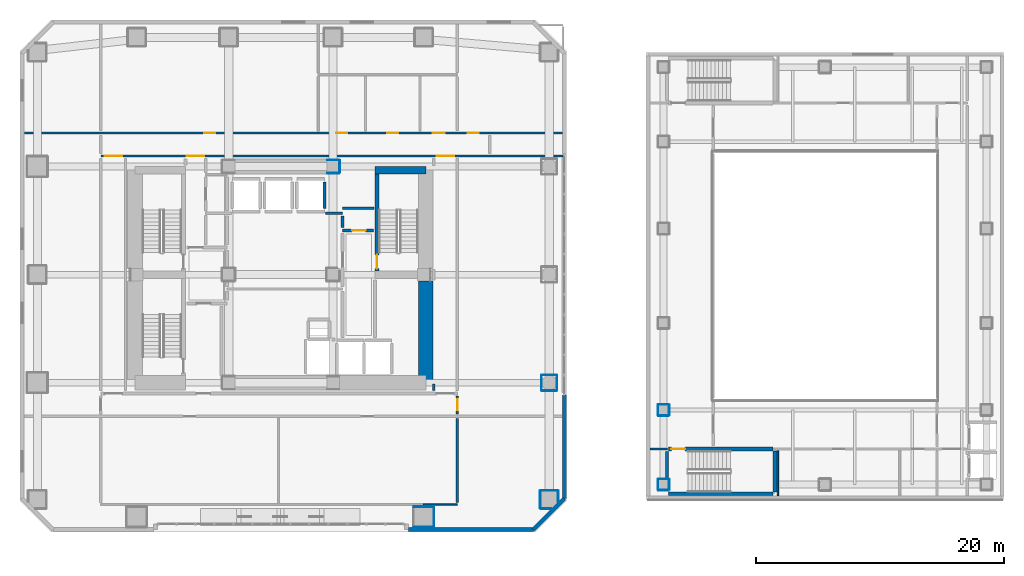
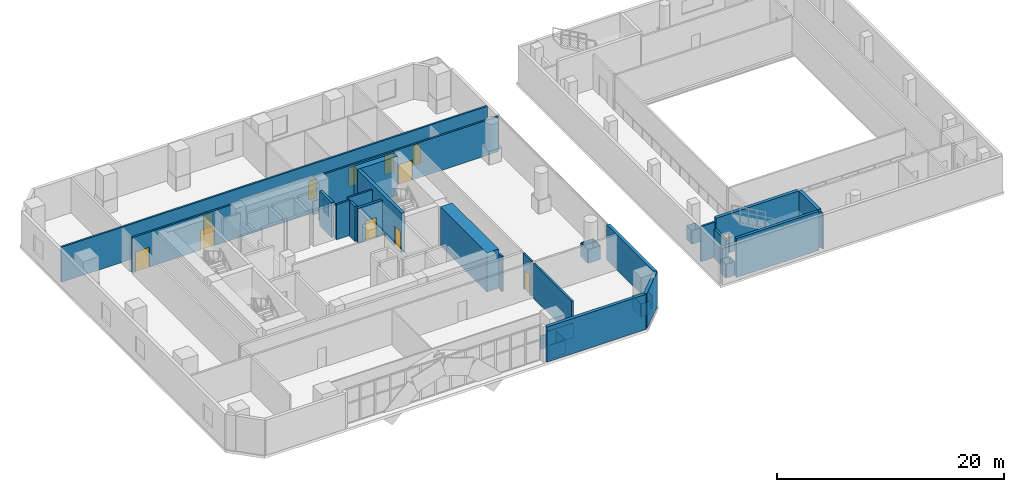
# One storey, part 16 of 22: 45 walls, 12 doors, 12 openings.
"""IFC4 building model written with IfcOpenShell, lengths in metres."""

import ifcopenshell
import ifcopenshell.guid

model = None  # the IFC model being written
_history = None  # IfcOwnerHistory: only IFC2X3 demands one
_inside = {}  # id of a spatial element -> (the spatial element, [elements in it])
_under = {}  # id of a project, library or spatial element -> (it, [spatial elements below it])
_declared = {}  # id of a project -> (the project, [libraries it declares])
_typed = {}  # id of a type object -> (the type object, [elements of that type])
_made_of = {}  # id of a material, layer set ... -> (it, [elements and type objects made of it])


def new_model(schema):
    """Start an empty IFC model of exactly this schema.

    Asked for "IFC4X3", IfcOpenShell would pick the latest addendum, in which some entities
    have other attributes; the version numbers below select the first issue.
    IFC2X3 requires an IfcOwnerHistory on every rooted entity: one is made here for all.
    """
    global model, _history
    if schema == "IFC4X3":
        model = ifcopenshell.file(schema_version=(4, 3, 0, 0))
    else:
        model = ifcopenshell.file(schema=schema)
    _inside.clear()
    _under.clear()
    _declared.clear()
    _typed.clear()
    _made_of.clear()
    _history = None
    if model.schema == "IFC2X3":
        org = make("IfcOrganization", Name="unknown")
        user = make(
            "IfcPersonAndOrganization",
            ThePerson=make("IfcPerson", FamilyName="unknown"),
            TheOrganization=org,
        )
        app = make(
            "IfcApplication",
            ApplicationDeveloper=org,
            Version="unknown",
            ApplicationFullName="unknown",
            ApplicationIdentifier="unknown",
        )
        _history = make(
            "IfcOwnerHistory",
            OwningUser=user,
            OwningApplication=app,
            ChangeAction="ADDED",
            CreationDate=0,
        )
    return model


def make(cls, **values):
    """One entity of the class cls with the attributes given. An attribute that is None is left unset."""
    return model.create_entity(
        cls, **{name: value for name, value in values.items() if value is not None}
    )


def rooted(cls, **values):
    """An entity with a GlobalId (a new one), such as an element, a storey or a relation."""
    return make(cls, GlobalId=ifcopenshell.guid.new(), OwnerHistory=_history, **values)


def si_unit(unit_type, name, prefix=None):
    """IfcSIUnit, for example si_unit("LENGTHUNIT", "METRE", prefix="MILLI")."""
    return make("IfcSIUnit", UnitType=unit_type, Prefix=prefix, Name=name)


def assignment(units):
    """IfcUnitAssignment: the units of a project."""
    return None if units is None else make("IfcUnitAssignment", Units=units)


def point(xyz):
    """IfcCartesianPoint."""
    return None if xyz is None else make("IfcCartesianPoint", Coordinates=xyz)


def direction(xyz):
    """IfcDirection."""
    return None if xyz is None else make("IfcDirection", DirectionRatios=xyz)


def frame(location, z_axis=None, x_axis=None):
    """IfcAxis2Placement3D, a coordinate frame: its origin and axes. An axis left out is left unset."""
    return make(
        "IfcAxis2Placement3D",
        Location=point(location),
        Axis=direction(z_axis),
        RefDirection=direction(x_axis),
    )


def frame_2d(location, x_axis=None):
    """IfcAxis2Placement2D, a coordinate frame in the plane: its origin and x axis."""
    return make(
        "IfcAxis2Placement2D", Location=point(location), RefDirection=direction(x_axis)
    )


def origin():
    """The frame at (0, 0, 0) with its axes left unset."""
    return frame((0.0, 0.0, 0.0))


def place(relative_to, where):
    """IfcLocalPlacement: puts the frame where relative to a parent placement (None: the world)."""
    return make(
        "IfcLocalPlacement", PlacementRelTo=relative_to, RelativePlacement=where
    )


def context(
    kind, dimensions, precision=None, world=None, true_north=None, identifier=None
):
    """IfcGeometricRepresentationContext, for example the 3D "Model" context."""
    return make(
        "IfcGeometricRepresentationContext",
        ContextIdentifier=identifier,
        ContextType=kind,
        CoordinateSpaceDimension=dimensions,
        Precision=precision,
        WorldCoordinateSystem=world,
        TrueNorth=true_north,
    )


def subcontext(parent, identifier, kind, view, scale=None):
    """IfcGeometricRepresentationSubContext, for example "Body" below "Model"."""
    return make(
        "IfcGeometricRepresentationSubContext",
        ContextIdentifier=identifier,
        ContextType=kind,
        ParentContext=parent,
        TargetScale=scale,
        TargetView=view,
    )


def project(units=None, contexts=None):
    """IfcProject with its units and contexts."""
    return rooted(
        "IfcProject",
        Name="project",
        RepresentationContexts=contexts,
        UnitsInContext=assignment(units),
    )


def spatial(cls, under=None, at=None, **own):
    """A site, building, storey or space (cls), placed at a placement, below another one or the project."""
    s = rooted(cls, ObjectPlacement=at, **own)
    if under is not None:
        _under.setdefault(under.id(), (under, []))[1].append(s)
    return s


def profile(cls, at=None, kind="AREA", **sizes):
    """A parametric profile (cls). Its sizes go by their IFC names, for example OverallWidth=200.0."""
    return make(cls, ProfileType=kind, Position=at, **sizes)


def rectangle(**sizes):
    """IfcRectangleProfileDef."""
    return profile("IfcRectangleProfileDef", **sizes)


def extrude(swept, where, along, depth):
    """IfcExtrudedAreaSolid: the profile swept, set in the frame where, extruded along a direction by depth."""
    return make(
        "IfcExtrudedAreaSolid",
        SweptArea=swept,
        Position=where,
        ExtrudedDirection=direction(along),
        Depth=depth,
    )


def shape(context_of_items, identifier, shape_type, items):
    """IfcShapeRepresentation: the items that make up one representation, for example the "Body"."""
    return make(
        "IfcShapeRepresentation",
        ContextOfItems=context_of_items,
        RepresentationIdentifier=identifier,
        RepresentationType=shape_type,
        Items=items,
    )


def material(Name=None, Category=None):
    """IfcMaterial."""
    return make("IfcMaterial", Name=Name, Category=Category)


def layer(
    of_material, thickness, ventilated=None, Name=None, Category=None, Priority=None
):
    """IfcMaterialLayer: one layer of a wall or slab, of a material (None: an air gap)."""
    return make(
        "IfcMaterialLayer",
        Material=of_material,
        LayerThickness=thickness,
        IsVentilated=ventilated,
        Name=Name,
        Category=Category,
        Priority=Priority,
    )


def layer_set(layers, Name=None):
    """IfcMaterialLayerSet."""
    return make("IfcMaterialLayerSet", MaterialLayers=layers, LayerSetName=Name)


def made_of(thing, what):
    """Note that an element or type object is made of a material, layer set ...; save() writes the relation."""
    if what is not None:
        _made_of.setdefault(what.id(), (what, []))[1].append(thing)
    return thing


def type_object(cls, material=None, **own):
    """A type object (cls), such as IfcWallType, which elements share."""
    return made_of(rooted(cls, **own), material)


def element(
    cls,
    number,
    at=None,
    inside=None,
    cuts=None,
    type_object=None,
    material=None,
    context=None,
    identifier="Body",
    shape_type=None,
    held_by="IfcProductDefinitionShape",
    body=None,
    shapes=None,
    **own,
):
    """One element of the class cls, such as IfcWall. Its Tag is "e" and its number.

    at: its placement. inside: the storey or other place that contains it. cuts: it is an
    opening in that element (IfcRelVoidsElement). A single representation is given by context,
    identifier, shape_type and body (its items); several are given by shapes. held_by: the class
    of the entity that holds the representations. save() writes the other relations.
    """
    e = rooted(cls, Tag="e%d" % number, ObjectPlacement=at, **own)
    if body is not None:
        shapes = [shape(context, identifier, shape_type, body)]
    if shapes is not None:
        e.Representation = make(held_by, Representations=shapes)
    if inside is not None:
        _inside.setdefault(inside.id(), (inside, []))[1].append(e)
    if cuts is not None:
        rooted(
            "IfcRelVoidsElement", RelatingBuildingElement=cuts, RelatedOpeningElement=e
        )
    if type_object is not None:
        _typed.setdefault(type_object.id(), (type_object, []))[1].append(e)
    return made_of(e, material)


def fill(opening, filler):
    """IfcRelFillsElement: the door or window that sits in an opening."""
    return rooted(
        "IfcRelFillsElement",
        RelatingOpeningElement=opening,
        RelatedBuildingElement=filler,
    )


def aggregate(whole, parts):
    """IfcRelAggregates: a whole, such as a stair, and the parts it consists of."""
    return rooted("IfcRelAggregates", RelatingObject=whole, RelatedObjects=parts)


def save(model, path):
    """Write the relations noted so far, then the file.

    IfcRelAggregates (storeys below a building ...), IfcRelContainedInSpatialStructure (elements
    in a storey), IfcRelDefinesByType, IfcRelAssociatesMaterial and IfcRelDeclares: one each for
    every whole, place, type object, material and project.
    """
    for whole, parts in _under.values():
        aggregate(whole, parts)
    for where, things in _inside.values():
        rooted(
            "IfcRelContainedInSpatialStructure",
            RelatedElements=things,
            RelatingStructure=where,
        )
    for kind, things in _typed.values():
        rooted("IfcRelDefinesByType", RelatedObjects=things, RelatingType=kind)
    for what, things in _made_of.values():
        rooted("IfcRelAssociatesMaterial", RelatedObjects=things, RelatingMaterial=what)
    for by, libraries in _declared.values():
        rooted("IfcRelDeclares", RelatingContext=by, RelatedDefinitions=libraries)
    model.write(path)


model = new_model("IFC4")

# Units and contexts
model_context = context("Model", 3, precision=1e-05, world=origin(), true_north=direction((0.0, 1.0)))
body_context = subcontext(model_context, "Body", "Model", "MODEL_VIEW")
ifc_project = project(units=[si_unit("LENGTHUNIT", "METRE"), si_unit("AREAUNIT", "SQUARE_METRE"), si_unit("VOLUMEUNIT", "CUBIC_METRE"), si_unit("PLANEANGLEUNIT", "RADIAN"), si_unit("MASSUNIT", "GRAM", prefix="KILO")], contexts=[model_context])

# Site, building, storey
site_placement = place(None, origin())
site = spatial("IfcSite", under=ifc_project, at=site_placement, CompositionType="ELEMENT")
building_placement = place(site_placement, origin())
building = spatial("IfcBuilding", under=site, at=building_placement, Name="Solanera Arch Residences", CompositionType="ELEMENT")
storey_placement = place(building_placement, frame((0.0, 0.0, 13.60009765625)))
storey = spatial("IfcBuildingStorey", under=building, at=storey_placement, Name="L03", CompositionType="ELEMENT", Elevation=13.60009765625)

# Walls
ifc_material_1 = material(Name="Fire-Rated Gypsum Stud Partition", Category="gypsum")
ifc_layer_1 = layer(ifc_material_1, 0.06005859375)
ifc_layer_set_1 = layer_set([ifc_layer_1], Name="Fire-Rated Gypsum Stud Partition")
wall_type_1 = type_object("IfcWallType", Name="Column Acoustic Furring Wall 60", PredefinedType="PARTITIONING", material=ifc_layer_set_1)
for number, where, z_axis, x_axis, name in (
    (1, (28.7099609375, 38.867919921875, 0.0), (0.0, 0.0, 1.0), (1.0, 0.0, 0.0), "L03 Column Furring 4S"),
    (2, (28.7099609375, 39.931884765625, 0.0), (0.0, 0.0, 1.0), (1.0, 0.0, 0.0), "L03 Column Furring 4N"),
):
    element("IfcWall", number, at=place(storey_placement, frame(where, z_axis=z_axis, x_axis=x_axis)), inside=storey, type_object=wall_type_1, Name=name, PredefinedType="PARTITIONING", context=body_context, shape_type="SweptSolid", body=[
        extrude(rectangle(XDim=0.989990234375, YDim=0.06005859375, at=frame_2d((0.4951171875, 0.0))), origin(), (0.0, 0.0, 1.0), 1.449951171875),
    ])
wall_1_placement = place(storey_placement, frame((29.73193359375, 38.89990234375, 0.0), z_axis=(0.0, 0.0, 1.0), x_axis=(0.0, 1.0, 0.0)))
element("IfcWall", 3, at=wall_1_placement, inside=storey, type_object=wall_type_1, Name="L03 Column Furring 4E", PredefinedType="PARTITIONING", context=body_context, shape_type="SweptSolid", body=[
    extrude(rectangle(XDim=1.0, YDim=0.06005859375, at=frame_2d((0.5, 0.0))), origin(), (0.0, 0.0, 1.0), 1.449951171875),
])
for number, where, z_axis, x_axis, name in (
    (4, (35.699951171875, 10.367919921875, 0.0), (0.0, 0.0, 1.0), (1.0, 0.0, 0.0), "L03 Column Furring 10S"),
    (5, (35.699951171875, 12.031982421875, 0.0), (0.0, 0.0, 1.0), (1.0, 0.0, 0.0), "L03 Column Furring 10N"),
    (6, (37.33203125, 10.39990234375, 0.0), (0.0, 0.0, 1.0), (0.0, 1.0, 0.0), "L03 Column Furring 10E"),
):
    element("IfcWall", number, at=place(storey_placement, frame(where, z_axis=z_axis, x_axis=x_axis)), inside=storey, type_object=wall_type_1, Name=name, PredefinedType="PARTITIONING", context=body_context, shape_type="SweptSolid", body=[
        extrude(rectangle(XDim=1.60009765625, YDim=0.06005859375, at=frame_2d((0.800048828125, 0.0))), origin(), (0.0, 0.0, 1.0), 1.449951171875),
    ])
for number, where, z_axis, x_axis, name in (
    (7, (46.0, 21.367919921875, 0.0), (0.0, 0.0, 1.0), (1.0, 0.0, 0.0), "L03 Column Furring 18S"),
    (8, (46.0, 22.632080078125, 0.0), (0.0, 0.0, 1.0), (1.0, 0.0, 0.0), "L03 Column Furring 18N"),
):
    element("IfcWall", number, at=place(storey_placement, frame(where, z_axis=z_axis, x_axis=x_axis)), inside=storey, type_object=wall_type_1, Name=name, PredefinedType="PARTITIONING", context=body_context, shape_type="SweptSolid", body=[
        extrude(rectangle(XDim=1.199951171875, YDim=0.06005859375, at=frame_2d((0.60009765625, 0.0))), origin(), (0.0, 0.0, 1.0), 1.449951171875),
    ])
for number, where, z_axis, x_axis, name in (
    (9, (45.968017578125, 21.39990234375, 0.0), (0.0, 0.0, 1.0), (0.0, 1.0, 0.0), "L03 Column Furring 18W"),
    (10, (47.23193359375, 21.39990234375, 0.0), (0.0, 0.0, 1.0), (0.0, 1.0, 0.0), "L03 Column Furring 18E"),
):
    element("IfcWall", number, at=place(storey_placement, frame(where, z_axis=z_axis, x_axis=x_axis)), inside=storey, type_object=wall_type_1, Name=name, PredefinedType="PARTITIONING", context=body_context, shape_type="SweptSolid", body=[
        extrude(rectangle(XDim=1.2001953125, YDim=0.06005859375, at=frame_2d((0.60009765625, 0.0))), origin(), (0.0, 0.0, 1.0), 1.449951171875),
    ])
wall_2_placement = place(storey_placement, frame((45.89990234375, 11.867919921875, 0.0), z_axis=(0.0, 0.0, 1.0), x_axis=(1.0, 0.0, 0.0)))
element("IfcWall", 11, at=wall_2_placement, inside=storey, type_object=wall_type_1, Name="L03 Column Furring 22S", PredefinedType="PARTITIONING", context=body_context, shape_type="SweptSolid", body=[
    extrude(rectangle(XDim=0.861083984375, YDim=0.06005859375, at=frame_2d((0.4306640625, 0.0))), origin(), (0.0, 0.0, 1.0), 1.449951171875),
])
for number, where, z_axis, x_axis, name in (
    (12, (45.89990234375, 13.33203125, 0.0), (0.0, 0.0, 1.0), (1.0, 0.0, 0.0), "L03 Column Furring 22N"),
    (13, (45.867919921875, 11.89990234375, 0.0), (0.0, 0.0, 1.0), (0.0, 1.0, 0.0), "L03 Column Furring 22W"),
):
    element("IfcWall", number, at=place(storey_placement, frame(where, z_axis=z_axis, x_axis=x_axis)), inside=storey, type_object=wall_type_1, Name=name, PredefinedType="PARTITIONING", context=body_context, shape_type="SweptSolid", body=[
        extrude(rectangle(XDim=1.400146484375, YDim=0.06005859375, at=frame_2d((0.7001953125, 0.0))), origin(), (0.0, 0.0, 1.0), 1.449951171875),
    ])
wall_3_placement = place(storey_placement, frame((47.33203125, 12.43896484375, 0.0), z_axis=(0.0, 0.0, 1.0), x_axis=(0.0, 1.0, 0.0)))
element("IfcWall", 14, at=wall_3_placement, inside=storey, type_object=wall_type_1, Name="L03 Column Furring 22E", PredefinedType="PARTITIONING", context=body_context, shape_type="SweptSolid", body=[
    extrude(rectangle(XDim=0.861083984375, YDim=0.06005859375, at=frame_2d((0.4306640625, 0.0))), origin(), (0.0, 0.0, 1.0), 1.449951171875),
])
for number, where, z_axis, x_axis, name in (
    (15, (55.375, 13.343017578125, 0.0), (0.0, 0.0, 1.0), (1.0, 0.0, 0.0), "L03 Column Furring 25S"),
    (16, (55.375, 14.257080078125, 0.0), (0.0, 0.0, 1.0), (1.0, 0.0, 0.0), "L03 Column Furring 25N"),
    (17, (55.343017578125, 13.375, 0.0), (0.0, 0.0, 1.0), (0.0, 1.0, 0.0), "L03 Column Furring 25W"),
    (18, (56.257080078125, 13.375, 0.0), (0.0, 0.0, 1.0), (0.0, 1.0, 0.0), "L03 Column Furring 25E"),
    (19, (55.375, 19.343017578125, 0.0), (0.0, 0.0, 1.0), (1.0, 0.0, 0.0), "L03 Column Furring 26S"),
    (20, (55.375, 20.257080078125, 0.0), (0.0, 0.0, 1.0), (1.0, 0.0, 0.0), "L03 Column Furring 26N"),
    (21, (55.343017578125, 19.375, 0.0), (0.0, 0.0, 1.0), (0.0, 1.0, 0.0), "L03 Column Furring 26W"),
    (22, (56.257080078125, 19.375, 0.0), (0.0, 0.0, 1.0), (0.0, 1.0, 0.0), "L03 Column Furring 26E"),
):
    element("IfcWall", number, at=place(storey_placement, frame(where, z_axis=z_axis, x_axis=x_axis)), inside=storey, type_object=wall_type_1, Name=name, PredefinedType="PARTITIONING", context=body_context, shape_type="SweptSolid", body=[
        extrude(rectangle(XDim=0.85009765625, YDim=0.06005859375, at=frame_2d((0.425048828125, 0.0))), origin(), (0.0, 0.0, 1.0), 1.449951171875),
    ])
ifc_material_2 = material(Name="Concrete C55/67 (f'c = 60 MPa)", Category="concrete")
ifc_layer_2 = layer(ifc_material_2, 1.199951171875)
ifc_layer_set_2 = layer_set([ifc_layer_2], Name="Concrete C55/67 (f'c = 60 MPa)")
wall_type_2 = type_object("IfcWallType", Name="Core Shear Wall CW-1200", PredefinedType="SHEAR", material=ifc_layer_set_2)
wall_4_placement = place(storey_placement, frame((36.659912109375, 22.0, 0.0), z_axis=(0.0, 0.0, 1.0), x_axis=(0.0, 1.0, 0.0)))
element("IfcWall", 23, at=wall_4_placement, inside=storey, type_object=wall_type_2, Name="L03 East Core South Shear Wall", PredefinedType="SHEAR", context=body_context, shape_type="SweptSolid", body=[
    extrude(rectangle(XDim=8.195068359375, YDim=1.199951171875, at=frame_2d((4.09765625, 0.0))), origin(), (0.0, 0.0, 1.0), 4.199951171875),
])

# Wall, opening, door
ifc_material_3 = material(Name="Concrete C40/50 (f'c = 45 MPa)", Category="concrete")
ifc_layer_3 = layer(ifc_material_3, 0.320068359375)
ifc_layer_set_3 = layer_set([ifc_layer_3], Name="Concrete C40/50 (f'c = 45 MPa)")
wall_type_3 = type_object("IfcWallType", Name="Core Shear Wall CW-320", PredefinedType="SHEAR", material=ifc_layer_set_3)
wall_5_placement = place(storey_placement, frame((32.739990234375, 31.0, 0.0), z_axis=(0.0, 0.0, 1.0), x_axis=(0.0, 1.0, 0.0)))
wall_5 = element("IfcWall", 24, at=wall_5_placement, inside=storey, type_object=wall_type_3, Name="L03 Stair ST-T2 West Shear Wall", PredefinedType="SHEAR", context=body_context, shape_type="SweptSolid", body=[
    extrude(rectangle(XDim=7.800048828125, YDim=0.320068359375, at=frame_2d((3.89990234375, 0.0))), origin(), (0.0, 0.0, 1.0), 4.199951171875),
])
opening_1_placement = place(wall_5_placement, frame((0.18994140625, 0.0, 0.0)))
opening_1 = element("IfcOpeningElement", 25, at=opening_1_placement, cuts=wall_5, Name="Opening DF-01", PredefinedType="OPENING", context=body_context, shape_type="SweptSolid", body=[
    extrude(rectangle(XDim=1.10009765625, YDim=2.14990234375, at=frame_2d((0.550048828125, 1.074951171875))), frame((0.0, 0.169921875, 0.0), z_axis=(0.0, -1.0, 0.0), x_axis=(1.0, 0.0, 0.0)), (0.0, 0.0, 1.0), 0.3401),
])
ifc_material_4 = material(Name="Fire-Rated Architectural Hardwood", Category="wood")
door_type_1 = type_object("IfcDoorType", Name="Stair Exit Fire Door DF-01", OperationType="NOTDEFINED", PredefinedType="DOOR", material=ifc_material_4)
door_1_placement = place(opening_1_placement, origin())
door_1 = element("IfcDoor", 26, at=door_1_placement, inside=storey, type_object=door_type_1, Name="DR-L03-STAIR-ST-T2", OperationType="SINGLE_SWING_LEFT", OverallHeight=2.14990234375, OverallWidth=1.10009765625, PredefinedType="DOOR", context=body_context, shape_type="SweptSolid", body=[
    extrude(rectangle(XDim=1.10009765625, YDim=2.14990234375, at=frame_2d((0.550048828125, 1.074951171875))), frame((0.0, 0.02490234375, 0.0), z_axis=(0.0, -1.0, 0.0), x_axis=(1.0, 0.0, 0.0)), (0.0, 0.0, 1.0), 0.050048828125),
])
fill(opening_1, door_1)

# Walls
wall_6_placement = place(storey_placement, frame((64.760009765625, 13.199951171875, 0.0), z_axis=(0.0, 0.0, 1.0), x_axis=(0.0, 1.0, 0.0)))
element("IfcWall", 27, at=wall_6_placement, inside=storey, type_object=wall_type_3, Name="L03 Stair ST-H1 East Shear Wall", PredefinedType="SHEAR", context=body_context, shape_type="SweptSolid", body=[
    extrude(rectangle(XDim=3.320068359375, YDim=0.320068359375, at=frame_2d((1.66015625, 0.0))), origin(), (0.0, 0.0, 1.0), 4.199951171875),
])
wall_7_placement = place(storey_placement, frame((56.199951171875, 13.06005859375, 0.0), z_axis=(0.0, 0.0, 1.0), x_axis=(1.0, 0.0, 0.0)))
element("IfcWall", 28, at=wall_7_placement, inside=storey, type_object=wall_type_3, Name="L03 Stair ST-H1 South Shear Wall", PredefinedType="SHEAR", context=body_context, shape_type="SweptSolid", body=[
    extrude(rectangle(XDim=8.400146484375, YDim=0.280029296875, at=frame_2d((4.2001953125, 0.0))), origin(), (0.0, 0.0, 1.0), 4.199951171875),
])

# Wall, opening, door
wall_8_placement = place(storey_placement, frame((56.199951171875, 16.679931640625, 0.0), z_axis=(0.0, 0.0, 1.0), x_axis=(1.0, 0.0, 0.0)))
wall_8 = element("IfcWall", 29, at=wall_8_placement, inside=storey, type_object=wall_type_3, Name="L03 Stair ST-H1 North Shear Wall", PredefinedType="SHEAR", context=body_context, shape_type="SweptSolid", body=[
    extrude(rectangle(XDim=8.400146484375, YDim=0.320068359375, at=frame_2d((4.2001953125, 0.0))), origin(), (0.0, 0.0, 1.0), 4.199951171875),
])
opening_2_placement = place(wall_8_placement, frame((0.22998046875, 0.0, 0.0)))
opening_2 = element("IfcOpeningElement", 30, at=opening_2_placement, cuts=wall_8, Name="Opening DF-01", PredefinedType="OPENING", context=body_context, shape_type="SweptSolid", body=[
    extrude(rectangle(XDim=1.10009765625, YDim=2.14990234375, at=frame_2d((0.550048828125, 1.074951171875))), frame((0.0, 0.169921875, 0.0), z_axis=(0.0, -1.0, 0.0), x_axis=(1.0, 0.0, 0.0)), (0.0, 0.0, 1.0), 0.3401),
])
door_2_placement = place(opening_2_placement, origin())
door_2 = element("IfcDoor", 31, at=door_2_placement, inside=storey, type_object=door_type_1, Name="DR-L03-STAIR-ST-H1", OperationType="SINGLE_SWING_LEFT", OverallHeight=2.14990234375, OverallWidth=1.10009765625, PredefinedType="DOOR", context=body_context, shape_type="SweptSolid", body=[
    extrude(rectangle(XDim=1.10009765625, YDim=2.14990234375, at=frame_2d((0.550048828125, 1.074951171875))), frame((0.0, 0.02490234375, 0.0), z_axis=(0.0, -1.0, 0.0), x_axis=(1.0, 0.0, 0.0)), (0.0, 0.0, 1.0), 0.050048828125),
])
fill(opening_2, door_2)

# Walls
ifc_material_5 = material(Name="Concrete C40/50 (f'c = 45 MPa)", Category="concrete")
ifc_layer_4 = layer(ifc_material_5, 0.60009765625)
ifc_layer_set_4 = layer_set([ifc_layer_4], Name="Concrete C40/50 (f'c = 45 MPa)")
wall_type_4 = type_object("IfcWallType", Name="Core Shear Wall CW-600", PredefinedType="SHEAR", material=ifc_layer_set_4)
wall_9_placement = place(storey_placement, frame((32.580078125, 39.10009765625, 0.0), z_axis=(0.0, 0.0, 1.0), x_axis=(1.0, 0.0, 0.0)))
element("IfcWall", 32, at=wall_9_placement, inside=storey, type_object=wall_type_4, Name="L03 North-East Core Shear Wall", PredefinedType="SHEAR", context=body_context, shape_type="SweptSolid", body=[
    extrude(rectangle(XDim=4.079833984375, YDim=0.60009765625, at=frame_2d((2.0400390625, 0.0))), origin(), (0.0, 0.0, 1.0), 4.199951171875),
])
ifc_material_6 = material(Name="Autoclaved Aerated Concrete Blockwork", Category="masonry")
ifc_layer_5 = layer(ifc_material_6, 0.179931640625)
ifc_layer_set_5 = layer_set([ifc_layer_5], Name="Autoclaved Aerated Concrete Blockwork")
wall_type_5 = type_object("IfcWallType", Name="Corridor Fire Partition 180", PredefinedType="PARTITIONING", material=ifc_layer_set_5)
wall_10_placement = place(storey_placement, frame((54.7119140625, 16.679931640625, 0.0), z_axis=(0.0, 0.0, 1.0), x_axis=(1.0, 0.0, 0.0)))
element("IfcWall", 33, at=wall_10_placement, inside=storey, type_object=wall_type_5, Name="L03 Interior Partition H7 1", PredefinedType="PARTITIONING", context=body_context, shape_type="SweptSolid", body=[
    extrude(rectangle(XDim=1.38818359375, YDim=0.179931640625, at=frame_2d((0.694091796875, 0.0))), origin(), (0.0, 0.0, 1.0), 3.77978515625),
])
wall_11_placement = place(storey_placement, frame((28.593017578125, 35.64990234375, 0.0), z_axis=(0.0, 0.0, 1.0), x_axis=(1.0, 0.0, 0.0)))
element("IfcWall", 34, at=wall_11_placement, inside=storey, type_object=wall_type_5, Name="L03 Interior Partition H11 2", PredefinedType="PARTITIONING", context=body_context, shape_type="SweptSolid", body=[
    extrude(rectangle(XDim=1.382080078125, YDim=0.179931640625, at=frame_2d((0.69091796875, 0.0))), origin(), (0.0, 0.0, 1.0), 3.77978515625),
])
wall_12_placement = place(storey_placement, frame((29.97509765625, 36.050048828125, 0.0), z_axis=(0.0, 0.0, 1.0), x_axis=(1.0, 0.0, 0.0)))
element("IfcWall", 35, at=wall_12_placement, inside=storey, type_object=wall_type_5, Name="L03 Interior Partition H12", PredefinedType="PARTITIONING", context=body_context, shape_type="SweptSolid", body=[
    extrude(rectangle(XDim=2.5048828125, YDim=0.179931640625, at=frame_2d((1.25244140625, 0.0))), origin(), (0.0, 0.0, 1.0), 3.77978515625),
])

# Wall, openings, doors
wall_13_placement = place(storey_placement, frame((10.5, 40.25, 0.0), z_axis=(0.0, 0.0, 1.0), x_axis=(1.0, 0.0, 0.0)))
wall_13 = element("IfcWall", 36, at=wall_13_placement, inside=storey, type_object=wall_type_5, Name="L03 Interior Partition H13", PredefinedType="PARTITIONING", context=body_context, shape_type="SweptSolid", body=[
    extrude(rectangle(XDim=37.199951171875, YDim=0.179931640625, at=frame_2d((18.60009765625, 0.0))), origin(), (0.0, 0.0, 1.0), 3.77978515625),
])
opening_3_placement = place(wall_13_placement, frame((6.93505859375, 0.0, 0.0)))
opening_3 = element("IfcOpeningElement", 37, at=opening_3_placement, cuts=wall_13, Name="Opening DF-03", PredefinedType="OPENING", context=body_context, shape_type="SweptSolid", body=[
    extrude(rectangle(XDim=1.39990234375, YDim=2.14990234375, at=frame_2d((0.699951171875, 1.074951171875))), frame((0.0, 0.10009765625, 0.0), z_axis=(0.0, -1.0, 0.0), x_axis=(1.0, 0.0, 0.0)), (0.0, 0.0, 1.0), 0.1999),
])
opening_4_placement = place(wall_13_placement, frame((0.323974609375, 0.0, 0.0)))
opening_4 = element("IfcOpeningElement", 38, at=opening_4_placement, cuts=wall_13, Name="Opening DF-03", PredefinedType="OPENING", context=body_context, shape_type="SweptSolid", body=[
    extrude(rectangle(XDim=1.39990234375, YDim=2.14990234375, at=frame_2d((0.699951171875, 1.074951171875))), frame((0.0, 0.10009765625, 0.0), z_axis=(0.0, -1.0, 0.0), x_axis=(1.0, 0.0, 0.0)), (0.0, 0.0, 1.0), 0.1999),
])
opening_5_placement = place(wall_13_placement, frame((27.050048828125, 0.0, 0.0)))
opening_5 = element("IfcOpeningElement", 39, at=opening_5_placement, cuts=wall_13, Name="Opening DF-03", PredefinedType="OPENING", context=body_context, shape_type="SweptSolid", body=[
    extrude(rectangle(XDim=1.39990234375, YDim=2.14990234375, at=frame_2d((0.699951171875, 1.074951171875))), frame((0.0, 0.10009765625, 0.0), z_axis=(0.0, -1.0, 0.0), x_axis=(1.0, 0.0, 0.0)), (0.0, 0.0, 1.0), 0.1999),
])
ifc_material_7 = material(Name="Fire-Rated Architectural Hardwood", Category="wood")
door_type_2 = type_object("IfcDoorType", Name="Corridor Smoke Door DF-03", OperationType="NOTDEFINED", PredefinedType="DOOR", material=ifc_material_7)
door_3_placement = place(opening_3_placement, origin())
door_3 = element("IfcDoor", 40, at=door_3_placement, inside=storey, type_object=door_type_2, Name="DR-L03-IN-013", OperationType="SINGLE_SWING_RIGHT", OverallHeight=2.14990234375, OverallWidth=1.39990234375, PredefinedType="DOOR", context=body_context, shape_type="SweptSolid", body=[
    extrude(rectangle(XDim=1.39990234375, YDim=2.14990234375, at=frame_2d((0.699951171875, 1.074951171875))), frame((0.0, 0.02490234375, 0.0), z_axis=(0.0, -1.0, 0.0), x_axis=(1.0, 0.0, 0.0)), (0.0, 0.0, 1.0), 0.050048828125),
])
fill(opening_3, door_3)
door_4_placement = place(opening_4_placement, origin())
door_4 = element("IfcDoor", 41, at=door_4_placement, inside=storey, type_object=door_type_2, Name="DR-L03-IN-016", OperationType="SINGLE_SWING_LEFT", OverallHeight=2.14990234375, OverallWidth=1.39990234375, PredefinedType="DOOR", context=body_context, shape_type="SweptSolid", body=[
    extrude(rectangle(XDim=1.39990234375, YDim=2.14990234375, at=frame_2d((0.699951171875, 1.074951171875))), frame((0.0, 0.02490234375, 0.0), z_axis=(0.0, -1.0, 0.0), x_axis=(1.0, 0.0, 0.0)), (0.0, 0.0, 1.0), 0.050048828125),
])
fill(opening_4, door_4)
door_5_placement = place(opening_5_placement, origin())
door_5 = element("IfcDoor", 42, at=door_5_placement, inside=storey, type_object=door_type_2, Name="DR-L03-IN-017", OperationType="SINGLE_SWING_RIGHT", OverallHeight=2.14990234375, OverallWidth=1.39990234375, PredefinedType="DOOR", context=body_context, shape_type="SweptSolid", body=[
    extrude(rectangle(XDim=1.39990234375, YDim=2.14990234375, at=frame_2d((0.699951171875, 1.074951171875))), frame((0.0, 0.02490234375, 0.0), z_axis=(0.0, -1.0, 0.0), x_axis=(1.0, 0.0, 0.0)), (0.0, 0.0, 1.0), 0.050048828125),
])
fill(opening_5, door_5)

wall_14_placement = place(storey_placement, frame((4.35205078125, 42.10009765625, 0.0), z_axis=(0.0, 0.0, 1.0), x_axis=(1.0, 0.0, 0.0)))
wall_14 = element("IfcWall", 43, at=wall_14_placement, inside=storey, type_object=wall_type_5, Name="L03 Interior Partition H15", PredefinedType="PARTITIONING", context=body_context, shape_type="SweptSolid", body=[
    extrude(rectangle(XDim=43.2958984375, YDim=0.179931640625, at=frame_2d((21.64794921875, 0.0))), origin(), (0.0, 0.0, 1.0), 3.77978515625),
])
opening_6_placement = place(wall_14_placement, frame((14.471923828125, 0.0, 0.0)))
opening_6 = element("IfcOpeningElement", 44, at=opening_6_placement, cuts=wall_14, Name="Opening DI-02", PredefinedType="OPENING", context=body_context, shape_type="SweptSolid", body=[
    extrude(rectangle(XDim=0.89990234375, YDim=2.10009765625, at=frame_2d((0.449951171875, 1.050048828125))), frame((0.0, 0.10009765625, 0.0), z_axis=(0.0, -1.0, 0.0), x_axis=(1.0, 0.0, 0.0)), (0.0, 0.0, 1.0), 0.1999),
])
opening_7_placement = place(wall_14_placement, frame((25.117919921875, 0.0, 0.0)))
opening_7 = element("IfcOpeningElement", 45, at=opening_7_placement, cuts=wall_14, Name="Opening DI-05", PredefinedType="OPENING", context=body_context, shape_type="SweptSolid", body=[
    extrude(rectangle(XDim=0.860107421875, YDim=2.02001953125, at=frame_2d((0.43017578125, 1.010009765625))), frame((0.0, 0.10009765625, 0.0), z_axis=(0.0, -1.0, 0.0), x_axis=(1.0, 0.0, 0.0)), (0.0, 0.0, 1.0), 0.1999),
])
opening_8_placement = place(wall_14_placement, frame((29.218017578125, 0.0, 0.0)))
opening_8 = element("IfcOpeningElement", 46, at=opening_8_placement, cuts=wall_14, Name="Opening DI-05", PredefinedType="OPENING", context=body_context, shape_type="SweptSolid", body=[
    extrude(rectangle(XDim=0.860107421875, YDim=2.02001953125, at=frame_2d((0.43017578125, 1.010009765625))), frame((0.0, 0.10009765625, 0.0), z_axis=(0.0, -1.0, 0.0), x_axis=(1.0, 0.0, 0.0)), (0.0, 0.0, 1.0), 0.1999),
])
opening_9_placement = place(wall_14_placement, frame((32.873046875, 0.0, 0.0)))
opening_9 = element("IfcOpeningElement", 47, at=opening_9_placement, cuts=wall_14, Name="Opening DI-04", PredefinedType="OPENING", context=body_context, shape_type="SweptSolid", body=[
    extrude(rectangle(XDim=0.949951171875, YDim=2.10009765625, at=frame_2d((0.47509765625, 1.050048828125))), frame((0.0, 0.10009765625, 0.0), z_axis=(0.0, -1.0, 0.0), x_axis=(1.0, 0.0, 0.0)), (0.0, 0.0, 1.0), 0.1999),
])
opening_10_placement = place(wall_14_placement, frame((35.68798828125, 0.0, 0.0)))
opening_10 = element("IfcOpeningElement", 48, at=opening_10_placement, cuts=wall_14, Name="Opening DI-02", PredefinedType="OPENING", context=body_context, shape_type="SweptSolid", body=[
    extrude(rectangle(XDim=0.89990234375, YDim=2.10009765625, at=frame_2d((0.449951171875, 1.050048828125))), frame((0.0, 0.10009765625, 0.0), z_axis=(0.0, -1.0, 0.0), x_axis=(1.0, 0.0, 0.0)), (0.0, 0.0, 1.0), 0.1999),
])
ifc_material_8 = material(Name="Fire-Rated Architectural Hardwood", Category="wood")
door_type_3 = type_object("IfcDoorType", Name="Accessible Restroom Door DI-04", OperationType="NOTDEFINED", PredefinedType="DOOR", material=ifc_material_8)
door_6_placement = place(opening_9_placement, origin())
door_6 = element("IfcDoor", 49, at=door_6_placement, inside=storey, type_object=door_type_3, Name="DR-L03-IN-031", OperationType="SINGLE_SWING_RIGHT", OverallHeight=2.10009765625, OverallWidth=0.949951171875, PredefinedType="DOOR", context=body_context, shape_type="SweptSolid", body=[
    extrude(rectangle(XDim=0.949951171875, YDim=2.10009765625, at=frame_2d((0.47509765625, 1.050048828125))), frame((0.0, 0.02490234375, 0.0), z_axis=(0.0, -1.0, 0.0), x_axis=(1.0, 0.0, 0.0)), (0.0, 0.0, 1.0), 0.050048828125),
])
fill(opening_9, door_6)
ifc_material_9 = material(Name="Fire-Rated Architectural Hardwood", Category="wood")
door_type_4 = type_object("IfcDoorType", Name="Bathroom Swing Door DI-05", OperationType="NOTDEFINED", PredefinedType="DOOR", material=ifc_material_9)
door_7_placement = place(opening_7_placement, origin())
door_7 = element("IfcDoor", 50, at=door_7_placement, inside=storey, type_object=door_type_4, Name="DR-L03-IN-029", OperationType="SINGLE_SWING_RIGHT", OverallHeight=2.02001953125, OverallWidth=0.860107421875, PredefinedType="DOOR", context=body_context, shape_type="SweptSolid", body=[
    extrude(rectangle(XDim=0.860107421875, YDim=2.02001953125, at=frame_2d((0.43017578125, 1.010009765625))), frame((0.0, 0.02490234375, 0.0), z_axis=(0.0, -1.0, 0.0), x_axis=(1.0, 0.0, 0.0)), (0.0, 0.0, 1.0), 0.050048828125),
])
fill(opening_7, door_7)
door_8_placement = place(opening_8_placement, origin())
door_8 = element("IfcDoor", 51, at=door_8_placement, inside=storey, type_object=door_type_4, Name="DR-L03-IN-030", OperationType="SINGLE_SWING_LEFT", OverallHeight=2.02001953125, OverallWidth=0.860107421875, PredefinedType="DOOR", context=body_context, shape_type="SweptSolid", body=[
    extrude(rectangle(XDim=0.860107421875, YDim=2.02001953125, at=frame_2d((0.43017578125, 1.010009765625))), frame((0.0, 0.02490234375, 0.0), z_axis=(0.0, -1.0, 0.0), x_axis=(1.0, 0.0, 0.0)), (0.0, 0.0, 1.0), 0.050048828125),
])
fill(opening_8, door_8)
ifc_material_10 = material(Name="Fire-Rated Architectural Hardwood", Category="wood")
door_type_5 = type_object("IfcDoorType", Name="Suite Room Swing Door DI-02", OperationType="NOTDEFINED", PredefinedType="DOOR", material=ifc_material_10)
door_9_placement = place(opening_6_placement, origin())
door_9 = element("IfcDoor", 52, at=door_9_placement, inside=storey, type_object=door_type_5, Name="DR-L03-IN-025", OperationType="SINGLE_SWING_RIGHT", OverallHeight=2.10009765625, OverallWidth=0.89990234375, PredefinedType="DOOR", context=body_context, shape_type="SweptSolid", body=[
    extrude(rectangle(XDim=0.89990234375, YDim=2.10009765625, at=frame_2d((0.449951171875, 1.050048828125))), frame((0.0, 0.02490234375, 0.0), z_axis=(0.0, -1.0, 0.0), x_axis=(1.0, 0.0, 0.0)), (0.0, 0.0, 1.0), 0.050048828125),
])
fill(opening_6, door_9)
door_10_placement = place(opening_10_placement, origin())
door_10 = element("IfcDoor", 53, at=door_10_placement, inside=storey, type_object=door_type_5, Name="DR-L03-IN-032", OperationType="SINGLE_SWING_LEFT", OverallHeight=2.10009765625, OverallWidth=0.89990234375, PredefinedType="DOOR", context=body_context, shape_type="SweptSolid", body=[
    extrude(rectangle(XDim=0.89990234375, YDim=2.10009765625, at=frame_2d((0.449951171875, 1.050048828125))), frame((0.0, 0.02490234375, 0.0), z_axis=(0.0, -1.0, 0.0), x_axis=(1.0, 0.0, 0.0)), (0.0, 0.0, 1.0), 0.050048828125),
])
fill(opening_10, door_10)

# Walls
wall_15_placement = place(storey_placement, frame((37.300048828125, 21.367919921875, 0.0), z_axis=(0.0, 0.0, 1.0), x_axis=(0.0, 1.0, 0.0)))
element("IfcWall", 54, at=wall_15_placement, inside=storey, type_object=wall_type_5, Name="L03 Interior Partition V9 1", PredefinedType="PARTITIONING", context=body_context, shape_type="SweptSolid", body=[
    extrude(rectangle(XDim=0.5400390625, YDim=0.179931640625, at=frame_2d((0.27001953125, 0.0))), origin(), (0.0, 0.0, 1.0), 3.77978515625),
])
wall_16_placement = place(storey_placement, frame((39.199951171875, 12.35791015625, 0.0), z_axis=(0.0, 0.0, 1.0), x_axis=(0.0, 1.0, 0.0)))
element("IfcWall", 55, at=wall_16_placement, inside=storey, type_object=wall_type_5, Name="L03 Interior Partition V10 1", PredefinedType="PARTITIONING", context=body_context, shape_type="SweptSolid", body=[
    extrude(rectangle(XDim=6.754150390625, YDim=0.179931640625, at=frame_2d((3.376953125, 0.0))), origin(), (0.0, 0.0, 1.0), 3.77978515625),
])

# Wall, opening, door
wall_17_placement = place(storey_placement, frame((39.199951171875, 19.488037109375, 0.0), z_axis=(0.0, 0.0, 1.0), x_axis=(0.0, 1.0, 0.0)))
wall_17 = element("IfcWall", 56, at=wall_17_placement, inside=storey, type_object=wall_type_5, Name="L03 Interior Partition V10 2", PredefinedType="PARTITIONING", context=body_context, shape_type="SweptSolid", body=[
    extrude(rectangle(XDim=1.44384765625, YDim=0.179931640625, at=frame_2d((0.721923828125, 0.0))), origin(), (0.0, 0.0, 1.0), 3.77978515625),
])
opening_11_placement = place(wall_17_placement, frame((0.301025390625, 0.0, 0.0)))
opening_11 = element("IfcOpeningElement", 57, at=opening_11_placement, cuts=wall_17, Name="Opening DI-02", PredefinedType="OPENING", context=body_context, shape_type="SweptSolid", body=[
    extrude(rectangle(XDim=0.89990234375, YDim=2.10009765625, at=frame_2d((0.449951171875, 1.050048828125))), frame((0.0, 0.10009765625, 0.0), z_axis=(0.0, -1.0, 0.0), x_axis=(1.0, 0.0, 0.0)), (0.0, 0.0, 1.0), 0.1999),
])
door_11_placement = place(opening_11_placement, origin())
door_11 = element("IfcDoor", 58, at=door_11_placement, inside=storey, type_object=door_type_5, Name="DR-L03-IN-026", OperationType="SINGLE_SWING_LEFT", OverallHeight=2.10009765625, OverallWidth=0.89990234375, PredefinedType="DOOR", context=body_context, shape_type="SweptSolid", body=[
    extrude(rectangle(XDim=0.89990234375, YDim=2.10009765625, at=frame_2d((0.449951171875, 1.050048828125))), frame((0.0, 0.02490234375, 0.0), z_axis=(0.0, -1.0, 0.0), x_axis=(1.0, 0.0, 0.0)), (0.0, 0.0, 1.0), 0.050048828125),
])
fill(opening_11, door_11)

# Walls
ifc_material_11 = material(Name="Precast Concrete C35/45", Category="concrete")
ifc_layer_6 = layer(ifc_material_11, 0.320068359375)
ifc_layer_set_6 = layer_set([ifc_layer_6], Name="Precast Concrete C35/45")
wall_type_6 = type_object("IfcWallType", Name="Exterior Wall Precast Masonry-Frame 320", PredefinedType="STANDARD", material=ifc_layer_set_6)
wall_18_placement = place(storey_placement, frame((47.820068359375, 21.0, 0.0), z_axis=(0.0, 0.0, 1.0), x_axis=(0.0, -1.0, 0.0)))
element("IfcWall", 59, at=wall_18_placement, inside=storey, type_object=wall_type_6, Name="L03 Podium East Pier 2", PredefinedType="STANDARD", context=body_context, shape_type="SweptSolid", body=[
    extrude(rectangle(XDim=8.320068359375, YDim=0.320068359375, at=frame_2d((4.16015625, 0.0))), origin(), (0.0, 0.0, 1.0), 3.77978515625),
])
wall_19_placement = place(storey_placement, frame((47.820068359375, 12.679931640625, 0.0), z_axis=(0.0, 0.0, 1.0), x_axis=(-0.707106781187, -0.707106781187, 0.0)))
element("IfcWall", 60, at=wall_19_placement, inside=storey, type_object=wall_type_6, Name="L03 Podium Precast Masonry-Frame Wall 6", PredefinedType="STANDARD", context=body_context, shape_type="SweptSolid", body=[
    extrude(rectangle(XDim=3.53564453125, YDim=0.320068359375, at=frame_2d((1.767822265625, 0.0))), origin(), (0.0, 0.0, 1.0), 3.77978515625),
])
wall_20_placement = place(storey_placement, frame((45.320068359375, 10.179931640625, 0.0), z_axis=(0.0, 0.0, 1.0), x_axis=(-1.0, 0.0, 0.0)))
element("IfcWall", 61, at=wall_20_placement, inside=storey, type_object=wall_type_6, Name="L03 Podium South-East Precast Pier Wall", PredefinedType="STANDARD", context=body_context, shape_type="SweptSolid", body=[
    extrude(rectangle(XDim=10.06005859375, YDim=0.320068359375, at=frame_2d((5.030029296875, 0.0))), origin(), (0.0, 0.0, 1.0), 3.77978515625),
])
ifc_material_12 = material(Name="Autoclaved Aerated Concrete Blockwork", Category="masonry")
ifc_layer_7 = layer(ifc_material_12, 0.239990234375)
ifc_layer_set_7 = layer_set([ifc_layer_7], Name="Autoclaved Aerated Concrete Blockwork")
wall_type_7 = type_object("IfcWallType", Name="Shaft Wall Fire-Rated 240", PredefinedType="PARTITIONING", material=ifc_layer_set_7)
wall_21_placement = place(storey_placement, frame((56.080078125, 14.35693359375, 0.0), z_axis=(0.0, 0.0, 1.0), x_axis=(0.0, 1.0, 0.0)))
element("IfcWall", 62, at=wall_21_placement, inside=storey, type_object=wall_type_7, Name="L03 Stair ST-H1 West Wall", PredefinedType="PARTITIONING", context=body_context, shape_type="SweptSolid", body=[
    extrude(rectangle(XDim=2.113037109375, YDim=0.239990234375, at=frame_2d((1.056640625, 0.0))), origin(), (0.0, 0.0, 1.0), 3.15478515625),
])
wall_22_placement = place(storey_placement, frame((28.5, 36.048095703125, 0.0), z_axis=(0.0, 0.0, 1.0), x_axis=(0.0, 1.0, 0.0)))
element("IfcWall", 63, at=wall_22_placement, inside=storey, type_object=wall_type_7, Name="L03 Lift PL-L3 Hoistway Wall E", PredefinedType="PARTITIONING", context=body_context, shape_type="SweptSolid", body=[
    extrude(rectangle(XDim=2.10400390625, YDim=0.239990234375, at=frame_2d((1.052001953125, 0.0))), origin(), (0.0, 0.0, 1.0), 3.77978515625),
])

# Wall, opening, door
wall_23_placement = place(storey_placement, frame((29.97509765625, 34.25, 0.0), z_axis=(0.0, 0.0, 1.0), x_axis=(1.0, 0.0, 0.0)))
wall_23 = element("IfcWall", 64, at=wall_23_placement, inside=storey, type_object=wall_type_7, Name="L03 Interior Partition H5", PredefinedType="PARTITIONING", context=body_context, shape_type="SweptSolid", body=[
    extrude(rectangle(XDim=2.474853515625, YDim=0.239990234375, at=frame_2d((1.2373046875, 0.0))), origin(), (0.0, 0.0, 1.0), 3.77978515625),
])
opening_12_placement = place(wall_23_placement, frame((0.751953125, 0.0, 0.0)))
opening_12 = element("IfcOpeningElement", 65, at=opening_12_placement, cuts=wall_23, Name="Opening DF-02", PredefinedType="OPENING", context=body_context, shape_type="SweptSolid", body=[
    extrude(rectangle(XDim=1.10009765625, YDim=2.14990234375, at=frame_2d((0.550048828125, 1.074951171875))), frame((0.0, 0.1298828125, 0.0), z_axis=(0.0, -1.0, 0.0), x_axis=(1.0, 0.0, 0.0)), (0.0, 0.0, 1.0), 0.26),
])
ifc_material_13 = material(Name="Fire-Rated Architectural Hardwood", Category="wood")
door_type_6 = type_object("IfcDoorType", Name="Firefighting Lobby Fire Door DF-02", OperationType="NOTDEFINED", PredefinedType="DOOR", material=ifc_material_13)
door_12_placement = place(opening_12_placement, origin())
door_12 = element("IfcDoor", 66, at=door_12_placement, inside=storey, type_object=door_type_6, Name="DR-L03-IN-011", OperationType="SINGLE_SWING_RIGHT", OverallHeight=2.14990234375, OverallWidth=1.10009765625, PredefinedType="DOOR", context=body_context, shape_type="SweptSolid", body=[
    extrude(rectangle(XDim=1.10009765625, YDim=2.14990234375, at=frame_2d((0.550048828125, 1.074951171875))), frame((0.0, 0.02490234375, 0.0), z_axis=(0.0, -1.0, 0.0), x_axis=(1.0, 0.0, 0.0)), (0.0, 0.0, 1.0), 0.050048828125),
])
fill(opening_12, door_12)

# Walls
wall_24_placement = place(storey_placement, frame((29.97509765625, 34.498046875, 0.0), z_axis=(0.0, 0.0, 1.0), x_axis=(0.0, 1.0, 0.0)))
element("IfcWall", 67, at=wall_24_placement, inside=storey, type_object=wall_type_7, Name="L03 Interior Partition V4 3", PredefinedType="PARTITIONING", context=body_context, shape_type="SweptSolid", body=[
    extrude(rectangle(XDim=0.933837890625, YDim=0.239990234375, at=frame_2d((0.466796875, 0.0))), origin(), (0.0, 0.0, 1.0), 3.77978515625),
])
ifc_material_14 = material(Name="Fire-Rated Gypsum Stud Partition", Category="gypsum")
ifc_layer_8 = layer(ifc_material_14, 0.1201171875)
ifc_layer_set_8 = layer_set([ifc_layer_8], Name="Fire-Rated Gypsum Stud Partition")
wall_type_8 = type_object("IfcWallType", Name="Unit Drywall Partition 120", PredefinedType="PARTITIONING", material=ifc_layer_set_8)
wall_25_placement = place(storey_placement, frame((36.4599609375, 12.199951171875, 0.0), z_axis=(0.0, 0.0, 1.0), x_axis=(1.0, 0.0, 0.0)))
element("IfcWall", 68, at=wall_25_placement, inside=storey, type_object=wall_type_8, Name="L03 Interior Partition H20 3", PredefinedType="PARTITIONING", context=body_context, shape_type="SweptSolid", body=[
    extrude(rectangle(XDim=2.739990234375, YDim=0.1201171875, at=frame_2d((1.3701171875, 0.0))), origin(), (0.0, 0.0, 1.0), 1.56494140625),
])
wall_26_placement = place(storey_placement, frame((65.0, 12.912109375, 0.0), z_axis=(0.0, 0.0, 1.0), x_axis=(0.0, 1.0, 0.0)))
element("IfcWall", 69, at=wall_26_placement, inside=storey, type_object=wall_type_8, Name="L03 Interior Partition V26", PredefinedType="PARTITIONING", context=body_context, shape_type="SweptSolid", body=[
    extrude(rectangle(XDim=3.60986328125, YDim=0.1201171875, at=frame_2d((1.804931640625, 0.0))), origin(), (0.0, 0.0, 1.0), 3.77978515625),
])

save(model, "model.ifc")
